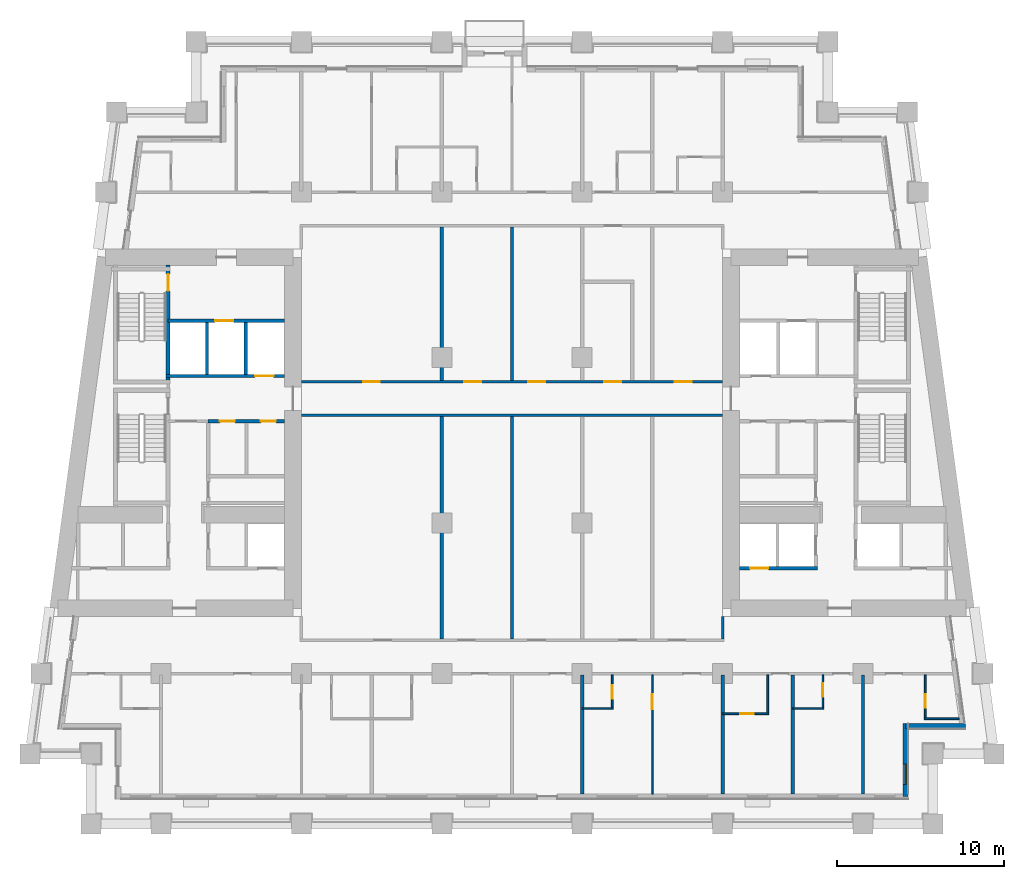
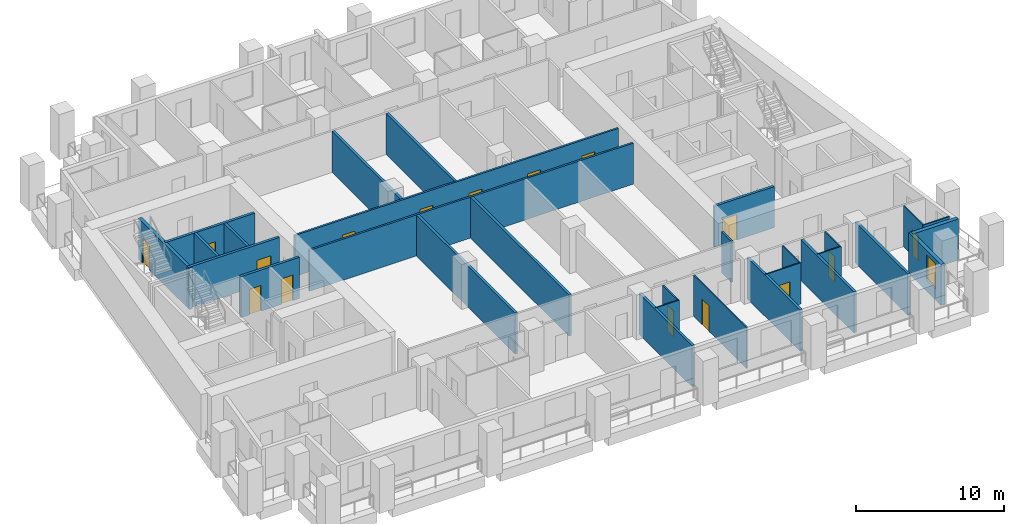
# One storey, part 4 of 13: 29 walls, 16 doors, 1 window, 17 openings.
"""IFC4 building model written with IfcOpenShell, lengths in metres."""

from ifc_helpers import new_model, si_unit, direction, frame, frame_2d, origin, place, context, subcontext, project, spatial, rectangle, extrude, material, layer, layer_set, type_object, element, fill, save


model = new_model("IFC4")

# Units and contexts
model_context = context("Model", 3, precision=1e-05, world=origin(), true_north=direction((0.0, 1.0)))
body_context = subcontext(model_context, "Body", "Model", "MODEL_VIEW")
ifc_project = project(units=[si_unit("LENGTHUNIT", "METRE"), si_unit("AREAUNIT", "SQUARE_METRE"), si_unit("VOLUMEUNIT", "CUBIC_METRE"), si_unit("PLANEANGLEUNIT", "RADIAN"), si_unit("MASSUNIT", "GRAM", prefix="KILO")], contexts=[model_context])

# Site, building, storey
site_placement = place(None, origin())
site = spatial("IfcSite", under=ifc_project, at=site_placement, CompositionType="ELEMENT")
building_placement = place(site_placement, origin())
building = spatial("IfcBuilding", under=site, at=building_placement, Name="Candeia Pilgrim Tower and Theatre", CompositionType="ELEMENT")
storey_placement = place(building_placement, frame((0.0, 0.0, 113.199951171875)))
storey = spatial("IfcBuildingStorey", under=building, at=storey_placement, Name="L26", CompositionType="ELEMENT", Elevation=113.199951171875)

# Wall, opening, window
ifc_material_1 = material(Name="Ceramic block masonry", Category="masonry")
ifc_layer_1 = layer(ifc_material_1, 0.300048828125)
ifc_layer_set_1 = layer_set([ifc_layer_1], Name="EW1 glazing-line wall 300")
wall_type_1 = type_object("IfcWallType", Name="EW1 glazing-line wall 300", PredefinedType="SOLIDWALL", material=ifc_layer_set_1)
wall_1_placement = place(storey_placement, frame((136.949951171875, 99.64990234375, 0.0), z_axis=(0.0, 0.0, 1.0), x_axis=(0.0, 1.0, 0.0)))
wall_1 = element("IfcWall", 1, at=wall_1_placement, inside=storey, type_object=wall_type_1, Name="External wall L26-1.0", PredefinedType="SOLIDWALL", context=body_context, shape_type="SweptSolid", body=[
    extrude(rectangle(XDim=4.35009765625, YDim=0.300048828125, at=frame_2d((2.175048828125, 0.0))), origin(), (0.0, 0.0, 1.0), 3.380126953125),
])
opening_1_placement = place(wall_1_placement, frame((0.72509765625, 0.0, 0.89990234375)))
opening_1 = element("IfcOpeningElement", 2, at=opening_1_placement, cuts=wall_1, Name="Opening W-B", PredefinedType="OPENING", context=body_context, shape_type="SweptSolid", body=[
    extrude(rectangle(XDim=1.199951171875, YDim=2.10009765625, at=frame_2d((0.60009765625, 1.050048828125))), frame((0.0, 0.16015625, 0.0), z_axis=(0.0, -1.0, 0.0), x_axis=(1.0, 0.0, 0.0)), (0.0, 0.0, 1.0), 0.320068359375),
])
ifc_material_2 = material(Name="Aluminium framed double glazing", Category="aluminium")
window_type = type_object("IfcWindowType", Name="W-B window 1200x2100", PartitioningType="SINGLE_PANEL", PredefinedType="WINDOW", material=ifc_material_2)
window_placement = place(opening_1_placement, origin())
window = element("IfcWindow", 3, at=window_placement, inside=storey, type_object=window_type, Name="Window W-B L26", OverallHeight=2.10009765625, OverallWidth=1.199951171875, PartitioningType="SINGLE_PANEL", PredefinedType="WINDOW", context=body_context, shape_type="SweptSolid", body=[
    extrude(rectangle(XDim=1.199951171875, YDim=2.10009765625, at=frame_2d((0.60009765625, 1.050048828125))), frame((0.0, 0.030029296875, 0.0), z_axis=(0.0, -1.0, 0.0), x_axis=(1.0, 0.0, 0.0)), (0.0, 0.0, 1.0), 0.06005859375),
])
fill(opening_1, window)

# Walls
wall_2_placement = place(storey_placement, frame((136.949951171875, 103.85009765625, 0.0), z_axis=(0.0, 0.0, 1.0), x_axis=(1.0, 0.0, 0.0)))
element("IfcWall", 4, at=wall_2_placement, inside=storey, type_object=wall_type_1, Name="External wall L26-2.0", PredefinedType="SOLIDWALL", context=body_context, shape_type="SweptSolid", body=[
    extrude(rectangle(XDim=3.569091796875, YDim=0.300048828125, at=frame_2d((1.78466796875, 0.0))), origin(), (0.0, 0.0, 1.0), 3.380126953125),
])
ifc_material_3 = material(Name="Gypsum board partition on steel studs", Category="steel")
ifc_layer_2 = layer(ifc_material_3, 0.10009765625)
ifc_layer_set_2 = layer_set([ifc_layer_2], Name="PW-100 room partition")
wall_type_2 = type_object("IfcWallType", Name="PW-100 room partition", PredefinedType="PARTITIONING", material=ifc_layer_set_2)
wall_3_placement = place(storey_placement, frame((138.070068359375, 104.300048828125, 0.0), z_axis=(0.0, 0.0, 1.0), x_axis=(1.0, 0.0, 0.0)))
element("IfcWall", 5, at=wall_3_placement, inside=storey, type_object=wall_type_2, Name="Room partition L26-002", PredefinedType="PARTITIONING", context=body_context, shape_type="SweptSolid", body=[
    extrude(rectangle(XDim=2.07568359375, YDim=0.10009765625, at=frame_2d((1.037841796875, 0.0))), origin(), (0.0, 0.0, 1.0), 3.380126953125),
])

# Wall, opening, door
wall_4_placement = place(storey_placement, frame((126.0, 104.60009765625, 0.0), z_axis=(0.0, 0.0, 1.0), x_axis=(1.0, 0.0, 0.0)))
wall_4 = element("IfcWall", 6, at=wall_4_placement, inside=storey, type_object=wall_type_2, Name="Room partition L26-003", PredefinedType="PARTITIONING", context=body_context, shape_type="SweptSolid", body=[
    extrude(rectangle(XDim=2.75, YDim=0.10009765625, at=frame_2d((1.375, 0.0))), origin(), (0.0, 0.0, 1.0), 3.380126953125),
])
opening_2_placement = place(wall_4_placement, frame((1.070068359375, 0.0, 0.0)))
opening_2 = element("IfcOpeningElement", 7, at=opening_2_placement, cuts=wall_4, Name="Opening L26-D029", PredefinedType="OPENING", context=body_context, shape_type="SweptSolid", body=[
    extrude(rectangle(XDim=0.800048828125, YDim=2.10009765625, at=frame_2d((0.39990234375, 1.050048828125))), frame((0.0, 0.06005859375, 0.0), z_axis=(0.0, -1.0, 0.0), x_axis=(1.0, 0.0, 0.0)), (0.0, 0.0, 1.0), 0.1201171875),
])
ifc_material_4 = material(Name="Timber door leaf", Category="wood")
door_type_1 = type_object("IfcDoorType", Name="D-800", OperationType="NOTDEFINED", PredefinedType="DOOR", material=ifc_material_4)
door_1_placement = place(opening_2_placement, origin())
door_1 = element("IfcDoor", 8, at=door_1_placement, inside=storey, type_object=door_type_1, Name="Door L26-D029", OperationType="SINGLE_SWING_LEFT", OverallHeight=2.10009765625, OverallWidth=0.800048828125, PredefinedType="DOOR", context=body_context, shape_type="SweptSolid", body=[
    extrude(rectangle(XDim=0.800048828125, YDim=2.10009765625, at=frame_2d((0.39990234375, 1.050048828125))), frame((0.0, 0.02490234375, 0.0), z_axis=(0.0, -1.0, 0.0), x_axis=(1.0, 0.0, 0.0)), (0.0, 0.0, 1.0), 0.050048828125),
])
fill(opening_2, door_1)

# Walls
wall_5_placement = place(storey_placement, frame((117.60009765625, 104.89990234375, 0.0), z_axis=(0.0, 0.0, 1.0), x_axis=(1.0, 0.0, 0.0)))
element("IfcWall", 9, at=wall_5_placement, inside=storey, type_object=wall_type_2, Name="Room partition L26-005", PredefinedType="PARTITIONING", context=body_context, shape_type="SweptSolid", body=[
    extrude(rectangle(XDim=1.849853515625, YDim=0.10009765625, at=frame_2d((0.9248046875, 0.0))), origin(), (0.0, 0.0, 1.0), 3.380126953125),
])
wall_6_placement = place(storey_placement, frame((130.199951171875, 104.89990234375, 0.0), z_axis=(0.0, 0.0, 1.0), x_axis=(1.0, 0.0, 0.0)))
element("IfcWall", 10, at=wall_6_placement, inside=storey, type_object=wall_type_2, Name="Room partition L26-006", PredefinedType="PARTITIONING", context=body_context, shape_type="SweptSolid", body=[
    extrude(rectangle(XDim=1.85009765625, YDim=0.10009765625, at=frame_2d((0.925048828125, 0.0))), origin(), (0.0, 0.0, 1.0), 3.380126953125),
])

# Wall, opening, door
wall_7_placement = place(storey_placement, frame((119.39990234375, 104.949951171875, 0.0), z_axis=(0.0, 0.0, 1.0), x_axis=(0.0, 1.0, 0.0)))
wall_7 = element("IfcWall", 11, at=wall_7_placement, inside=storey, type_object=wall_type_2, Name="Room partition L26-088", PredefinedType="PARTITIONING", context=body_context, shape_type="SweptSolid", body=[
    extrude(rectangle(XDim=1.97509765625, YDim=0.10009765625, at=frame_2d((0.987548828125, 0.0))), origin(), (0.0, 0.0, 1.0), 3.380126953125),
])
opening_3_placement = place(wall_7_placement, frame((0.5400390625, 0.0, 0.0)))
opening_3 = element("IfcOpeningElement", 12, at=opening_3_placement, cuts=wall_7, Name="Opening L26-D027", PredefinedType="OPENING", context=body_context, shape_type="SweptSolid", body=[
    extrude(rectangle(XDim=0.800048828125, YDim=2.10009765625, at=frame_2d((0.39990234375, 1.050048828125))), frame((0.0, 0.06005859375, 0.0), z_axis=(0.0, -1.0, 0.0), x_axis=(1.0, 0.0, 0.0)), (0.0, 0.0, 1.0), 0.1201171875),
])
door_2_placement = place(opening_3_placement, origin())
door_2 = element("IfcDoor", 13, at=door_2_placement, inside=storey, type_object=door_type_1, Name="Door L26-D027", OperationType="SINGLE_SWING_LEFT", OverallHeight=2.10009765625, OverallWidth=0.800048828125, PredefinedType="DOOR", context=body_context, shape_type="SweptSolid", body=[
    extrude(rectangle(XDim=0.800048828125, YDim=2.10009765625, at=frame_2d((0.39990234375, 1.050048828125))), frame((0.0, 0.02490234375, 0.0), z_axis=(0.0, -1.0, 0.0), x_axis=(1.0, 0.0, 0.0)), (0.0, 0.0, 1.0), 0.050048828125),
])
fill(opening_3, door_2)

wall_8_placement = place(storey_placement, frame((121.800048828125, 99.7900390625, 0.0), z_axis=(0.0, 0.0, 1.0), x_axis=(0.0, 1.0, 0.0)))
wall_8 = element("IfcWall", 14, at=wall_8_placement, inside=storey, type_object=wall_type_2, Name="Room partition L26-091", PredefinedType="PARTITIONING", context=body_context, shape_type="SweptSolid", body=[
    extrude(rectangle(XDim=7.135009765625, YDim=0.10009765625, at=frame_2d((3.5673828125, 0.0))), origin(), (0.0, 0.0, 1.0), 3.380126953125),
])
opening_4_placement = place(wall_8_placement, frame((5.074951171875, 0.0, 0.0)))
opening_4 = element("IfcOpeningElement", 15, at=opening_4_placement, cuts=wall_8, Name="Opening L26-D026", PredefinedType="OPENING", context=body_context, shape_type="SweptSolid", body=[
    extrude(rectangle(XDim=0.89990234375, YDim=2.10009765625, at=frame_2d((0.449951171875, 1.050048828125))), frame((0.0, 0.06005859375, 0.0), z_axis=(0.0, -1.0, 0.0), x_axis=(1.0, 0.0, 0.0)), (0.0, 0.0, 1.0), 0.1201171875),
])
door_type_2 = type_object("IfcDoorType", Name="D-900", OperationType="NOTDEFINED", PredefinedType="DOOR", material=ifc_material_4)
door_3_placement = place(opening_4_placement, origin())
door_3 = element("IfcDoor", 16, at=door_3_placement, inside=storey, type_object=door_type_2, Name="Door L26-D026", OperationType="SINGLE_SWING_RIGHT", OverallHeight=2.10009765625, OverallWidth=0.89990234375, PredefinedType="DOOR", context=body_context, shape_type="SweptSolid", body=[
    extrude(rectangle(XDim=0.89990234375, YDim=2.10009765625, at=frame_2d((0.449951171875, 1.050048828125))), frame((0.0, 0.02490234375, 0.0), z_axis=(0.0, -1.0, 0.0), x_axis=(1.0, 0.0, 0.0)), (0.0, 0.0, 1.0), 0.050048828125),
])
fill(opening_4, door_3)

# Wall
wall_9_placement = place(storey_placement, frame((128.699951171875, 104.64990234375, 0.0), z_axis=(0.0, 0.0, 1.0), x_axis=(0.0, 1.0, 0.0)))
element("IfcWall", 17, at=wall_9_placement, inside=storey, type_object=wall_type_2, Name="Room partition L26-100", PredefinedType="PARTITIONING", context=body_context, shape_type="SweptSolid", body=[
    extrude(rectangle(XDim=2.275146484375, YDim=0.10009765625, at=frame_2d((1.1376953125, 0.0))), origin(), (0.0, 0.0, 1.0), 3.380126953125),
])

# Wall, opening, door
wall_10_placement = place(storey_placement, frame((132.0, 104.949951171875, 0.0), z_axis=(0.0, 0.0, 1.0), x_axis=(0.0, 1.0, 0.0)))
wall_10 = element("IfcWall", 18, at=wall_10_placement, inside=storey, type_object=wall_type_2, Name="Room partition L26-109", PredefinedType="PARTITIONING", context=body_context, shape_type="SweptSolid", body=[
    extrude(rectangle(XDim=1.97509765625, YDim=0.10009765625, at=frame_2d((0.987548828125, 0.0))), origin(), (0.0, 0.0, 1.0), 3.380126953125),
])
opening_5_placement = place(wall_10_placement, frame((0.659912109375, 0.0, 0.0)))
opening_5 = element("IfcOpeningElement", 19, at=opening_5_placement, cuts=wall_10, Name="Opening L26-D031", PredefinedType="OPENING", context=body_context, shape_type="SweptSolid", body=[
    extrude(rectangle(XDim=0.800048828125, YDim=2.10009765625, at=frame_2d((0.39990234375, 1.050048828125))), frame((0.0, 0.06005859375, 0.0), z_axis=(0.0, -1.0, 0.0), x_axis=(1.0, 0.0, 0.0)), (0.0, 0.0, 1.0), 0.1201171875),
])
door_4_placement = place(opening_5_placement, origin())
door_4 = element("IfcDoor", 20, at=door_4_placement, inside=storey, type_object=door_type_1, Name="Door L26-D031", OperationType="SINGLE_SWING_LEFT", OverallHeight=2.10009765625, OverallWidth=0.800048828125, PredefinedType="DOOR", context=body_context, shape_type="SweptSolid", body=[
    extrude(rectangle(XDim=0.800048828125, YDim=2.10009765625, at=frame_2d((0.39990234375, 1.050048828125))), frame((0.0, 0.02490234375, 0.0), z_axis=(0.0, -1.0, 0.0), x_axis=(1.0, 0.0, 0.0)), (0.0, 0.0, 1.0), 0.050048828125),
])
fill(opening_5, door_4)

wall_11_placement = place(storey_placement, frame((138.1201171875, 104.35009765625, 0.0), z_axis=(0.0, 0.0, 1.0), x_axis=(0.0, 1.0, 0.0)))
wall_11 = element("IfcWall", 21, at=wall_11_placement, inside=storey, type_object=wall_type_2, Name="Room partition L26-119", PredefinedType="PARTITIONING", context=body_context, shape_type="SweptSolid", body=[
    extrude(rectangle(XDim=2.574951171875, YDim=0.10009765625, at=frame_2d((1.28759765625, 0.0))), origin(), (0.0, 0.0, 1.0), 3.380126953125),
])
opening_6_placement = place(wall_11_placement, frame((0.60009765625, 0.0, 0.0)))
opening_6 = element("IfcOpeningElement", 22, at=opening_6_placement, cuts=wall_11, Name="Opening L26-D033", PredefinedType="OPENING", context=body_context, shape_type="SweptSolid", body=[
    extrude(rectangle(XDim=0.800048828125, YDim=2.10009765625, at=frame_2d((0.39990234375, 1.050048828125))), frame((0.0, 0.06005859375, 0.0), z_axis=(0.0, -1.0, 0.0), x_axis=(1.0, 0.0, 0.0)), (0.0, 0.0, 1.0), 0.1201171875),
])
door_5_placement = place(opening_6_placement, origin())
door_5 = element("IfcDoor", 23, at=door_5_placement, inside=storey, type_object=door_type_1, Name="Door L26-D033", OperationType="SINGLE_SWING_LEFT", OverallHeight=2.10009765625, OverallWidth=0.800048828125, PredefinedType="DOOR", context=body_context, shape_type="SweptSolid", body=[
    extrude(rectangle(XDim=0.800048828125, YDim=2.10009765625, at=frame_2d((0.39990234375, 1.050048828125))), frame((0.0, 0.02490234375, 0.0), z_axis=(0.0, -1.0, 0.0), x_axis=(1.0, 0.0, 0.0)), (0.0, 0.0, 1.0), 0.050048828125),
])
fill(opening_6, door_5)

# Wall
ifc_layer_3 = layer(ifc_material_3, 0.14990234375)
ifc_layer_set_3 = layer_set([ifc_layer_3], Name="PW-150 unit wall")
wall_type_3 = type_object("IfcWallType", Name="PW-150 unit wall", PredefinedType="PARTITIONING", material=ifc_layer_set_3)
wall_12_placement = place(storey_placement, frame((100.800048828125, 122.449951171875, 0.0), z_axis=(0.0, 0.0, 1.0), x_axis=(1.0, 0.0, 0.0)))
element("IfcWall", 24, at=wall_12_placement, inside=storey, type_object=wall_type_3, Name="Unit wall L26-025", PredefinedType="PARTITIONING", context=body_context, shape_type="SweptSolid", body=[
    extrude(rectangle(XDim=25.199951171875, YDim=0.14990234375, at=frame_2d((12.60009765625, 0.0))), origin(), (0.0, 0.0, 1.0), 3.380126953125),
])

# Wall, openings, doors
wall_13_placement = place(storey_placement, frame((100.800048828125, 124.449951171875, 0.0), z_axis=(0.0, 0.0, 1.0), x_axis=(1.0, 0.0, 0.0)))
wall_13 = element("IfcWall", 25, at=wall_13_placement, inside=storey, type_object=wall_type_3, Name="Unit wall L26-030", PredefinedType="PARTITIONING", context=body_context, shape_type="SweptSolid", body=[
    extrude(rectangle(XDim=25.199951171875, YDim=0.14990234375, at=frame_2d((12.60009765625, 0.0))), origin(), (0.0, 0.0, 1.0), 3.380126953125),
])
opening_7_placement = place(wall_13_placement, frame((3.699951171875, 0.0, 0.0)))
opening_7 = element("IfcOpeningElement", 26, at=opening_7_placement, cuts=wall_13, Name="Opening L26-D054", PredefinedType="OPENING", context=body_context, shape_type="SweptSolid", body=[
    extrude(rectangle(XDim=1.0, YDim=2.10009765625, at=frame_2d((0.5, 1.050048828125))), frame((0.0, 0.0849609375, 0.0), z_axis=(0.0, -1.0, 0.0), x_axis=(1.0, 0.0, 0.0)), (0.0, 0.0, 1.0), 0.169921875),
])
opening_8_placement = place(wall_13_placement, frame((9.75, 0.0, 0.0)))
opening_8 = element("IfcOpeningElement", 27, at=opening_8_placement, cuts=wall_13, Name="Opening L26-D055", PredefinedType="OPENING", context=body_context, shape_type="SweptSolid", body=[
    extrude(rectangle(XDim=1.0, YDim=2.10009765625, at=frame_2d((0.5, 1.050048828125))), frame((0.0, 0.0849609375, 0.0), z_axis=(0.0, -1.0, 0.0), x_axis=(1.0, 0.0, 0.0)), (0.0, 0.0, 1.0), 0.169921875),
])
opening_9_placement = place(wall_13_placement, frame((13.574951171875, 0.0, 0.0)))
opening_9 = element("IfcOpeningElement", 28, at=opening_9_placement, cuts=wall_13, Name="Opening L26-D056", PredefinedType="OPENING", context=body_context, shape_type="SweptSolid", body=[
    extrude(rectangle(XDim=1.0, YDim=2.10009765625, at=frame_2d((0.5, 1.050048828125))), frame((0.0, 0.0849609375, 0.0), z_axis=(0.0, -1.0, 0.0), x_axis=(1.0, 0.0, 0.0)), (0.0, 0.0, 1.0), 0.169921875),
])
opening_10_placement = place(wall_13_placement, frame((18.125, 0.0, 0.0)))
opening_10 = element("IfcOpeningElement", 29, at=opening_10_placement, cuts=wall_13, Name="Opening L26-D057", PredefinedType="OPENING", context=body_context, shape_type="SweptSolid", body=[
    extrude(rectangle(XDim=1.0, YDim=2.10009765625, at=frame_2d((0.5, 1.050048828125))), frame((0.0, 0.0849609375, 0.0), z_axis=(0.0, -1.0, 0.0), x_axis=(1.0, 0.0, 0.0)), (0.0, 0.0, 1.0), 0.169921875),
])
opening_11_placement = place(wall_13_placement, frame((22.35009765625, 0.0, 0.0)))
opening_11 = element("IfcOpeningElement", 30, at=opening_11_placement, cuts=wall_13, Name="Opening L26-D058", PredefinedType="OPENING", context=body_context, shape_type="SweptSolid", body=[
    extrude(rectangle(XDim=1.0, YDim=2.10009765625, at=frame_2d((0.5, 1.050048828125))), frame((0.0, 0.0849609375, 0.0), z_axis=(0.0, -1.0, 0.0), x_axis=(1.0, 0.0, 0.0)), (0.0, 0.0, 1.0), 0.169921875),
])
ifc_material_5 = material(Name="Steel fire door set", Category="steel")
door_type_3 = type_object("IfcDoorType", Name="D-1000-FD30S", OperationType="NOTDEFINED", PredefinedType="DOOR", material=ifc_material_5)
door_6_placement = place(opening_7_placement, origin())
door_6 = element("IfcDoor", 31, at=door_6_placement, inside=storey, type_object=door_type_3, Name="Door L26-D054", OperationType="SINGLE_SWING_RIGHT", OverallHeight=2.10009765625, OverallWidth=1.0, PredefinedType="DOOR", context=body_context, shape_type="SweptSolid", body=[
    extrude(rectangle(XDim=1.0, YDim=2.10009765625, at=frame_2d((0.5, 1.050048828125))), frame((0.0, 0.02490234375, 0.0), z_axis=(0.0, -1.0, 0.0), x_axis=(1.0, 0.0, 0.0)), (0.0, 0.0, 1.0), 0.050048828125),
])
fill(opening_7, door_6)
door_7_placement = place(opening_8_placement, origin())
door_7 = element("IfcDoor", 32, at=door_7_placement, inside=storey, type_object=door_type_3, Name="Door L26-D055", OperationType="SINGLE_SWING_LEFT", OverallHeight=2.10009765625, OverallWidth=1.0, PredefinedType="DOOR", context=body_context, shape_type="SweptSolid", body=[
    extrude(rectangle(XDim=1.0, YDim=2.10009765625, at=frame_2d((0.5, 1.050048828125))), frame((0.0, 0.02490234375, 0.0), z_axis=(0.0, -1.0, 0.0), x_axis=(1.0, 0.0, 0.0)), (0.0, 0.0, 1.0), 0.050048828125),
])
fill(opening_8, door_7)
door_8_placement = place(opening_9_placement, origin())
door_8 = element("IfcDoor", 33, at=door_8_placement, inside=storey, type_object=door_type_3, Name="Door L26-D056", OperationType="SINGLE_SWING_RIGHT", OverallHeight=2.10009765625, OverallWidth=1.0, PredefinedType="DOOR", context=body_context, shape_type="SweptSolid", body=[
    extrude(rectangle(XDim=1.0, YDim=2.10009765625, at=frame_2d((0.5, 1.050048828125))), frame((0.0, 0.02490234375, 0.0), z_axis=(0.0, -1.0, 0.0), x_axis=(1.0, 0.0, 0.0)), (0.0, 0.0, 1.0), 0.050048828125),
])
fill(opening_9, door_8)
door_9_placement = place(opening_10_placement, origin())
door_9 = element("IfcDoor", 34, at=door_9_placement, inside=storey, type_object=door_type_3, Name="Door L26-D057", OperationType="SINGLE_SWING_LEFT", OverallHeight=2.10009765625, OverallWidth=1.0, PredefinedType="DOOR", context=body_context, shape_type="SweptSolid", body=[
    extrude(rectangle(XDim=1.0, YDim=2.10009765625, at=frame_2d((0.5, 1.050048828125))), frame((0.0, 0.02490234375, 0.0), z_axis=(0.0, -1.0, 0.0), x_axis=(1.0, 0.0, 0.0)), (0.0, 0.0, 1.0), 0.050048828125),
])
fill(opening_10, door_9)
door_10_placement = place(opening_11_placement, origin())
door_10 = element("IfcDoor", 35, at=door_10_placement, inside=storey, type_object=door_type_3, Name="Door L26-D058", OperationType="SINGLE_SWING_RIGHT", OverallHeight=2.10009765625, OverallWidth=1.0, PredefinedType="DOOR", context=body_context, shape_type="SweptSolid", body=[
    extrude(rectangle(XDim=1.0, YDim=2.10009765625, at=frame_2d((0.5, 1.050048828125))), frame((0.0, 0.02490234375, 0.0), z_axis=(0.0, -1.0, 0.0), x_axis=(1.0, 0.0, 0.0)), (0.0, 0.0, 1.0), 0.050048828125),
])
fill(opening_11, door_10)

# Walls
wall_14_placement = place(storey_placement, frame((126.0, 109.074951171875, 0.0), z_axis=(0.0, 0.0, 1.0), x_axis=(0.0, 1.0, 0.0)))
element("IfcWall", 36, at=wall_14_placement, inside=storey, type_object=wall_type_3, Name="Unit wall L26-098", PredefinedType="PARTITIONING", context=body_context, shape_type="SweptSolid", body=[
    extrude(rectangle(XDim=1.324951171875, YDim=0.14990234375, at=frame_2d((0.66259765625, 0.0))), origin(), (0.0, 0.0, 1.0), 3.380126953125),
])
ifc_layer_4 = layer(ifc_material_3, 0.199951171875)
ifc_layer_set_4 = layer_set([ifc_layer_4], Name="PW-200 party wall")
wall_type_4 = type_object("IfcWallType", Name="PW-200 party wall", PredefinedType="PARTITIONING", material=ifc_layer_set_4)
wall_15_placement = place(storey_placement, frame((109.199951171875, 109.074951171875, 0.0), z_axis=(0.0, 0.0, 1.0), x_axis=(0.0, 1.0, 0.0)))
element("IfcWall", 37, at=wall_15_placement, inside=storey, type_object=wall_type_4, Name="Party wall L26-076", PredefinedType="PARTITIONING", context=body_context, shape_type="SweptSolid", body=[
    extrude(rectangle(XDim=13.300048828125, YDim=0.199951171875, at=frame_2d((6.64990234375, 0.0))), origin(), (0.0, 0.0, 1.0), 3.380126953125),
])
wall_16_placement = place(storey_placement, frame((109.199951171875, 124.52490234375, 0.0), z_axis=(0.0, 0.0, 1.0), x_axis=(0.0, 1.0, 0.0)))
element("IfcWall", 38, at=wall_16_placement, inside=storey, type_object=wall_type_4, Name="Party wall L26-077", PredefinedType="PARTITIONING", context=body_context, shape_type="SweptSolid", body=[
    extrude(rectangle(XDim=9.2001953125, YDim=0.199951171875, at=frame_2d((4.60009765625, 0.0))), origin(), (0.0, 0.0, 1.0), 3.380126953125),
])
wall_17_placement = place(storey_placement, frame((113.39990234375, 109.074951171875, 0.0), z_axis=(0.0, 0.0, 1.0), x_axis=(0.0, 1.0, 0.0)))
element("IfcWall", 39, at=wall_17_placement, inside=storey, type_object=wall_type_4, Name="Party wall L26-082", PredefinedType="PARTITIONING", context=body_context, shape_type="SweptSolid", body=[
    extrude(rectangle(XDim=13.300048828125, YDim=0.199951171875, at=frame_2d((6.64990234375, 0.0))), origin(), (0.0, 0.0, 1.0), 3.380126953125),
])
wall_18_placement = place(storey_placement, frame((113.39990234375, 124.52490234375, 0.0), z_axis=(0.0, 0.0, 1.0), x_axis=(0.0, 1.0, 0.0)))
element("IfcWall", 40, at=wall_18_placement, inside=storey, type_object=wall_type_4, Name="Party wall L26-083", PredefinedType="PARTITIONING", context=body_context, shape_type="SweptSolid", body=[
    extrude(rectangle(XDim=9.2001953125, YDim=0.199951171875, at=frame_2d((4.60009765625, 0.0))), origin(), (0.0, 0.0, 1.0), 3.380126953125),
])
for number, where, z_axis, x_axis, name in (
    (41, (117.60009765625, 99.7900390625, 0.0), (0.0, 0.0, 1.0), (0.0, 1.0, 0.0), "Party wall L26-084"),
    (42, (126.0, 99.7900390625, 0.0), (0.0, 0.0, 1.0), (0.0, 1.0, 0.0), "Party wall L26-096"),
    (43, (130.199951171875, 99.7900390625, 0.0), (0.0, 0.0, 1.0), (0.0, 1.0, 0.0), "Party wall L26-104"),
    (44, (134.39990234375, 99.7900390625, 0.0), (0.0, 0.0, 1.0), (0.0, 1.0, 0.0), "Party wall L26-115"),
):
    element("IfcWall", number, at=place(storey_placement, frame(where, z_axis=z_axis, x_axis=x_axis)), inside=storey, type_object=wall_type_4, Name=name, PredefinedType="PARTITIONING", context=body_context, shape_type="SweptSolid", body=[
        extrude(rectangle(XDim=7.135009765625, YDim=0.199951171875, at=frame_2d((3.5673828125, 0.0))), origin(), (0.0, 0.0, 1.0), 3.380126953125),
    ])

# Wall, opening, door
ifc_material_6 = material(Name="Concrete C40/50", Category="concrete")
ifc_layer_5 = layer(ifc_material_6, 0.199951171875)
ifc_layer_set_5 = layer_set([ifc_layer_5], Name="SW-200 shaft wall")
wall_type_5 = type_object("IfcWallType", Name="SW-200 shaft wall", PredefinedType="PARTITIONING", material=ifc_layer_set_5)
wall_19_placement = place(storey_placement, frame((127.0, 113.300048828125, 0.0), z_axis=(0.0, 0.0, 1.0), x_axis=(1.0, 0.0, 0.0)))
wall_19 = element("IfcWall", 45, at=wall_19_placement, inside=storey, type_object=wall_type_5, Name="Shaft wall L26-011", PredefinedType="PARTITIONING", context=body_context, shape_type="SweptSolid", body=[
    extrude(rectangle(XDim=4.673095703125, YDim=0.199951171875, at=frame_2d((2.33642578125, 0.0))), origin(), (0.0, 0.0, 1.0), 3.380126953125),
])
opening_12_placement = place(wall_19_placement, frame((0.64208984375, 0.0, 0.0)))
opening_12 = element("IfcOpeningElement", 46, at=opening_12_placement, cuts=wall_19, Name="Opening L26-LD08", PredefinedType="OPENING", context=body_context, shape_type="SweptSolid", body=[
    extrude(rectangle(XDim=1.10009765625, YDim=2.10009765625, at=frame_2d((0.550048828125, 1.050048828125))), frame((0.0, 0.10986328125, 0.0), z_axis=(0.0, -1.0, 0.0), x_axis=(1.0, 0.0, 0.0)), (0.0, 0.0, 1.0), 0.219970703125),
])
ifc_material_7 = material(Name="Glazed aluminium landing door", Category="aluminium")
door_type_4 = type_object("IfcDoorType", Name="LD-1100-EI120", OperationType="SLIDING_TO_LEFT", PredefinedType="DOOR", material=ifc_material_7)
door_11_placement = place(opening_12_placement, origin())
door_11 = element("IfcDoor", 47, at=door_11_placement, inside=storey, type_object=door_type_4, Name="Landing door 08 L26", OperationType="SLIDING_TO_LEFT", OverallHeight=2.10009765625, OverallWidth=1.10009765625, PredefinedType="DOOR", context=body_context, shape_type="SweptSolid", body=[
    extrude(rectangle(XDim=1.10009765625, YDim=2.10009765625, at=frame_2d((0.550048828125, 1.050048828125))), frame((0.0, 0.02490234375, 0.0), z_axis=(0.0, -1.0, 0.0), x_axis=(1.0, 0.0, 0.0)), (0.0, 0.0, 1.0), 0.050048828125),
])
fill(opening_12, door_11)

# Wall, openings, doors
wall_20_placement = place(storey_placement, frame((95.22705078125, 122.10009765625, 0.0), z_axis=(0.0, 0.0, 1.0), x_axis=(1.0, 0.0, 0.0)))
wall_20 = element("IfcWall", 48, at=wall_20_placement, inside=storey, type_object=wall_type_5, Name="Shaft wall L26-021", PredefinedType="PARTITIONING", context=body_context, shape_type="SweptSolid", body=[
    extrude(rectangle(XDim=4.572998046875, YDim=0.199951171875, at=frame_2d((2.28662109375, 0.0))), origin(), (0.0, 0.0, 1.0), 3.380126953125),
])
opening_13_placement = place(wall_20_placement, frame((0.693115234375, 0.0, 0.0)))
opening_13 = element("IfcOpeningElement", 49, at=opening_13_placement, cuts=wall_20, Name="Opening L26-D002", PredefinedType="OPENING", context=body_context, shape_type="SweptSolid", body=[
    extrude(rectangle(XDim=0.89990234375, YDim=2.10009765625, at=frame_2d((0.449951171875, 1.050048828125))), frame((0.0, 0.10986328125, 0.0), z_axis=(0.0, -1.0, 0.0), x_axis=(1.0, 0.0, 0.0)), (0.0, 0.0, 1.0), 0.219970703125),
])
opening_14_placement = place(wall_20_placement, frame((3.15087890625, 0.0, 0.0)))
opening_14 = element("IfcOpeningElement", 50, at=opening_14_placement, cuts=wall_20, Name="Opening L26-D003", PredefinedType="OPENING", context=body_context, shape_type="SweptSolid", body=[
    extrude(rectangle(XDim=0.89990234375, YDim=2.10009765625, at=frame_2d((0.449951171875, 1.050048828125))), frame((0.0, 0.10986328125, 0.0), z_axis=(0.0, -1.0, 0.0), x_axis=(1.0, 0.0, 0.0)), (0.0, 0.0, 1.0), 0.219970703125),
])
door_type_5 = type_object("IfcDoorType", Name="D-900-FD60", OperationType="NOTDEFINED", PredefinedType="DOOR", material=ifc_material_5)
door_12_placement = place(opening_13_placement, origin())
door_12 = element("IfcDoor", 51, at=door_12_placement, inside=storey, type_object=door_type_5, Name="Door L26-D002", OperationType="SINGLE_SWING_RIGHT", OverallHeight=2.10009765625, OverallWidth=0.89990234375, PredefinedType="DOOR", context=body_context, shape_type="SweptSolid", body=[
    extrude(rectangle(XDim=0.89990234375, YDim=2.10009765625, at=frame_2d((0.449951171875, 1.050048828125))), frame((0.0, 0.02490234375, 0.0), z_axis=(0.0, -1.0, 0.0), x_axis=(1.0, 0.0, 0.0)), (0.0, 0.0, 1.0), 0.050048828125),
])
fill(opening_13, door_12)
door_13_placement = place(opening_14_placement, origin())
door_13 = element("IfcDoor", 52, at=door_13_placement, inside=storey, type_object=door_type_5, Name="Door L26-D003", OperationType="SINGLE_SWING_LEFT", OverallHeight=2.10009765625, OverallWidth=0.89990234375, PredefinedType="DOOR", context=body_context, shape_type="SweptSolid", body=[
    extrude(rectangle(XDim=0.89990234375, YDim=2.10009765625, at=frame_2d((0.449951171875, 1.050048828125))), frame((0.0, 0.02490234375, 0.0), z_axis=(0.0, -1.0, 0.0), x_axis=(1.0, 0.0, 0.0)), (0.0, 0.0, 1.0), 0.050048828125),
])
fill(opening_14, door_13)

# Wall, opening, door
wall_21_placement = place(storey_placement, frame((92.701904296875, 124.800048828125, 0.0), z_axis=(0.0, 0.0, 1.0), x_axis=(1.0, 0.0, 0.0)))
wall_21 = element("IfcWall", 53, at=wall_21_placement, inside=storey, type_object=wall_type_5, Name="Shaft wall L26-031", PredefinedType="PARTITIONING", context=body_context, shape_type="SweptSolid", body=[
    extrude(rectangle(XDim=7.09814453125, YDim=0.199951171875, at=frame_2d((3.549072265625, 0.0))), origin(), (0.0, 0.0, 1.0), 3.380126953125),
])
opening_15_placement = place(wall_21_placement, frame((5.3330078125, 0.0, 0.0)))
opening_15 = element("IfcOpeningElement", 54, at=opening_15_placement, cuts=wall_21, Name="Opening L26-LD02", PredefinedType="OPENING", context=body_context, shape_type="SweptSolid", body=[
    extrude(rectangle(XDim=1.10009765625, YDim=2.10009765625, at=frame_2d((0.550048828125, 1.050048828125))), frame((0.0, 0.10986328125, 0.0), z_axis=(0.0, -1.0, 0.0), x_axis=(1.0, 0.0, 0.0)), (0.0, 0.0, 1.0), 0.219970703125),
])
door_14_placement = place(opening_15_placement, origin())
door_14 = element("IfcDoor", 55, at=door_14_placement, inside=storey, type_object=door_type_4, Name="Landing door 02 L26", OperationType="SLIDING_TO_LEFT", OverallHeight=2.10009765625, OverallWidth=1.10009765625, PredefinedType="DOOR", context=body_context, shape_type="SweptSolid", body=[
    extrude(rectangle(XDim=1.10009765625, YDim=2.10009765625, at=frame_2d((0.550048828125, 1.050048828125))), frame((0.0, 0.02490234375, 0.0), z_axis=(0.0, -1.0, 0.0), x_axis=(1.0, 0.0, 0.0)), (0.0, 0.0, 1.0), 0.050048828125),
])
fill(opening_15, door_14)

wall_22_placement = place(storey_placement, frame((92.826904296875, 128.10009765625, 0.0), z_axis=(0.0, 0.0, 1.0), x_axis=(1.0, 0.0, 0.0)))
wall_22 = element("IfcWall", 56, at=wall_22_placement, inside=storey, type_object=wall_type_5, Name="Shaft wall L26-034", PredefinedType="PARTITIONING", context=body_context, shape_type="SweptSolid", body=[
    extrude(rectangle(XDim=6.97314453125, YDim=0.199951171875, at=frame_2d((3.486572265625, 0.0))), origin(), (0.0, 0.0, 1.0), 3.380126953125),
])
opening_16_placement = place(wall_22_placement, frame((2.804931640625, 0.0, 0.0)))
opening_16 = element("IfcOpeningElement", 57, at=opening_16_placement, cuts=wall_22, Name="Opening L26-LD01", PredefinedType="OPENING", context=body_context, shape_type="SweptSolid", body=[
    extrude(rectangle(XDim=1.10009765625, YDim=2.10009765625, at=frame_2d((0.550048828125, 1.050048828125))), frame((0.0, 0.10986328125, 0.0), z_axis=(0.0, -1.0, 0.0), x_axis=(1.0, 0.0, 0.0)), (0.0, 0.0, 1.0), 0.219970703125),
])
door_15_placement = place(opening_16_placement, origin())
door_15 = element("IfcDoor", 58, at=door_15_placement, inside=storey, type_object=door_type_4, Name="Landing door 01 L26", OperationType="SLIDING_TO_LEFT", OverallHeight=2.10009765625, OverallWidth=1.10009765625, PredefinedType="DOOR", context=body_context, shape_type="SweptSolid", body=[
    extrude(rectangle(XDim=1.10009765625, YDim=2.10009765625, at=frame_2d((0.550048828125, 1.050048828125))), frame((0.0, 0.02490234375, 0.0), z_axis=(0.0, -1.0, 0.0), x_axis=(1.0, 0.0, 0.0)), (0.0, 0.0, 1.0), 0.050048828125),
])
fill(opening_16, door_15)

# Walls
for number, where, z_axis, x_axis, name in (
    (59, (95.1513671875, 124.89990234375, 0.0), (0.0, 0.0, 1.0), (0.0, 1.0, 0.0), "Shaft wall L26-060"),
    (60, (97.4755859375, 124.89990234375, 0.0), (0.0, 0.0, 1.0), (0.0, 1.0, 0.0), "Shaft wall L26-064"),
):
    element("IfcWall", number, at=place(storey_placement, frame(where, z_axis=z_axis, x_axis=x_axis)), inside=storey, type_object=wall_type_5, Name=name, PredefinedType="PARTITIONING", context=body_context, shape_type="SweptSolid", body=[
        extrude(rectangle(XDim=3.10009765625, YDim=0.199951171875, at=frame_2d((1.550048828125, 0.0))), origin(), (0.0, 0.0, 1.0), 3.380126953125),
    ])

# Wall, opening, door
ifc_layer_6 = layer(ifc_material_6, 0.25)
ifc_layer_set_6 = layer_set([ifc_layer_6], Name="SW-250 stair wall")
wall_type_6 = type_object("IfcWallType", Name="SW-250 stair wall", PredefinedType="PARTITIONING", material=ifc_layer_set_6)
wall_23_placement = place(storey_placement, frame((92.826904296875, 124.574951171875, 0.0), z_axis=(0.0, 0.0, 1.0), x_axis=(0.0, 1.0, 0.0)))
wall_23 = element("IfcWall", 61, at=wall_23_placement, inside=storey, type_object=wall_type_6, Name="Stair wall L26-057", PredefinedType="PARTITIONING", context=body_context, shape_type="SweptSolid", body=[
    extrude(rectangle(XDim=6.85498046875, YDim=0.25, at=frame_2d((3.427490234375, 0.0))), origin(), (0.0, 0.0, 1.0), 3.380126953125),
])
opening_17_placement = place(wall_23_placement, frame((5.324951171875, 0.0, 0.0)))
opening_17 = element("IfcOpeningElement", 62, at=opening_17_placement, cuts=wall_23, Name="Opening L26-D005", PredefinedType="OPENING", context=body_context, shape_type="SweptSolid", body=[
    extrude(rectangle(XDim=1.0, YDim=2.10009765625, at=frame_2d((0.5, 1.050048828125))), frame((0.0, 0.135009765625, 0.0), z_axis=(0.0, -1.0, 0.0), x_axis=(1.0, 0.0, 0.0)), (0.0, 0.0, 1.0), 0.27001953125),
])
door_type_6 = type_object("IfcDoorType", Name="D-1000-FD60", OperationType="NOTDEFINED", PredefinedType="DOOR", material=ifc_material_5)
door_16_placement = place(opening_17_placement, origin())
door_16 = element("IfcDoor", 63, at=door_16_placement, inside=storey, type_object=door_type_6, Name="Door L26-D005", OperationType="SINGLE_SWING_LEFT", OverallHeight=2.10009765625, OverallWidth=1.0, PredefinedType="DOOR", context=body_context, shape_type="SweptSolid", body=[
    extrude(rectangle(XDim=1.0, YDim=2.10009765625, at=frame_2d((0.5, 1.050048828125))), frame((0.0, 0.02490234375, 0.0), z_axis=(0.0, -1.0, 0.0), x_axis=(1.0, 0.0, 0.0)), (0.0, 0.0, 1.0), 0.050048828125),
])
fill(opening_17, door_16)

save(model, "model.ifc")
